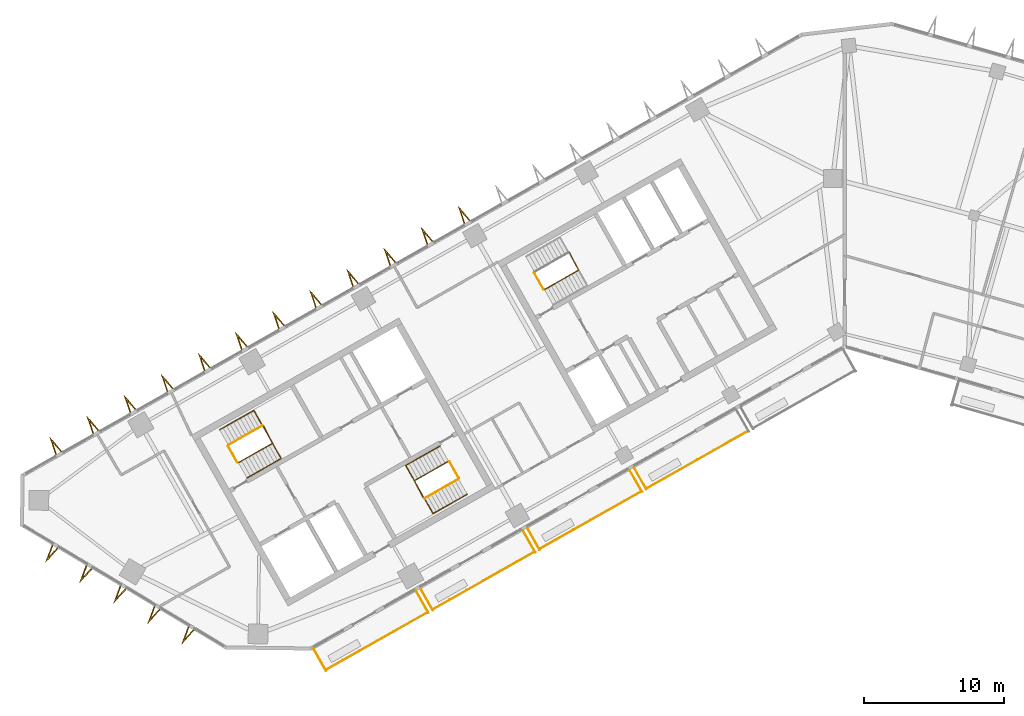
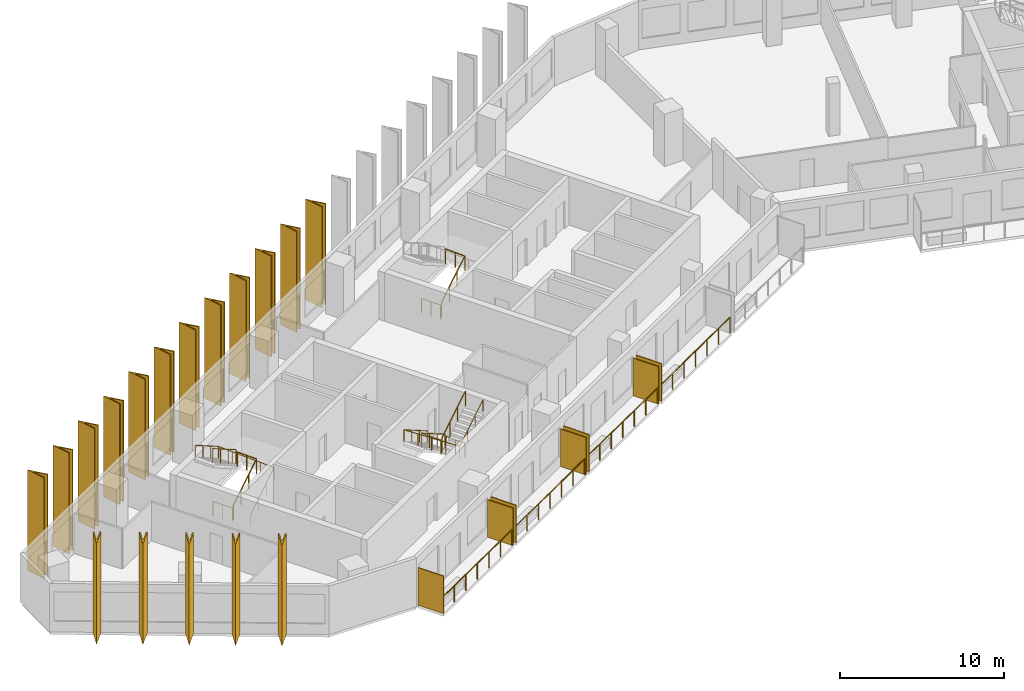
# One storey, part 10 of 12: 24 shading devices, 14 railings.
"""IFC4 building model written with IfcOpenShell, lengths in metres."""

from ifc_helpers import new_model, si_unit, direction, frame, origin, origin_2d, place, context, subcontext, project, spatial, polyline, rectangle, circle, outline, extrude, material, layer, layer_set, type_object, element, save


model = new_model("IFC4")

# Units and contexts
model_context = context("Model", 3, precision=1e-05, world=origin(), true_north=direction((0.0, 1.0)))
body_context = subcontext(model_context, "Body", "Model", "MODEL_VIEW")
ifc_project = project(units=[si_unit("LENGTHUNIT", "METRE"), si_unit("AREAUNIT", "SQUARE_METRE"), si_unit("VOLUMEUNIT", "CUBIC_METRE"), si_unit("PLANEANGLEUNIT", "RADIAN"), si_unit("MASSUNIT", "GRAM", prefix="KILO")], contexts=[model_context])

# Site, building, storey
site_placement = place(None, origin())
site = spatial("IfcSite", under=ifc_project, at=site_placement, CompositionType="ELEMENT")
building_placement = place(site_placement, origin())
building = spatial("IfcBuilding", under=site, at=building_placement, Name="Binnacle Exchange Tower", CompositionType="ELEMENT")
storey_placement = place(building_placement, frame((0.0, 0.0, 246.5)))
storey = spatial("IfcBuildingStorey", under=building, at=storey_placement, Name="L54", CompositionType="ELEMENT", Elevation=246.5)

# Railings
ifc_material_1 = material(Name="Bronze anodised aluminium frame", Category="aluminium")
railing_type_1 = type_object("IfcRailingType", Name="GUARD 1200", PredefinedType="GUARDRAIL", material=ifc_material_1)
railing_1_placement = place(storey_placement, frame((-37.006591796875, 24.94287109375, 0.0)))
element("IfcRailing", 1, at=railing_1_placement, inside=storey, type_object=railing_type_1, Name="Balcony guard G01-B00 L54", PredefinedType="GUARDRAIL", context=body_context, shape_type="SweptSolid", body=[
    extrude(circle(Radius=0.02392578125, at=origin_2d()), frame((0.0, 0.0, 1.17578125), z_axis=(0.870353267448, 0.492427852424, 0.0), x_axis=(-0.492427852424, 0.870353267448, 0.0)), (0.0, 0.0, 1.0), 8.334716796875),
    extrude(circle(Radius=0.02099609375, at=origin_2d()), origin(), (0.0, 0.0, 1.0), 1.15185546875),
    extrude(circle(Radius=0.02099609375, at=origin_2d()), frame((1.208984375, 0.68408203125, 0.0)), (0.0, 0.0, 1.0), 1.15185546875),
    extrude(circle(Radius=0.02099609375, at=origin_2d()), frame((2.41796875, 1.3681640625, 0.0)), (0.0, 0.0, 1.0), 1.15185546875),
    extrude(circle(Radius=0.02099609375, at=origin_2d()), frame((3.626953125, 2.05224609375, 0.0)), (0.0, 0.0, 1.0), 1.15185546875),
    extrude(circle(Radius=0.02099609375, at=origin_2d()), frame((4.836181640625, 2.736083984375, 0.0)), (0.0, 0.0, 1.0), 1.15185546875),
    extrude(circle(Radius=0.02099609375, at=origin_2d()), frame((6.045166015625, 3.420166015625, 0.0)), (0.0, 0.0, 1.0), 1.15185546875),
    extrude(circle(Radius=0.02099609375, at=origin_2d()), frame((7.254150390625, 4.104248046875, 0.0)), (0.0, 0.0, 1.0), 1.15185546875),
])
railing_2_placement = place(storey_placement, frame((-29.386962890625, 29.25390625, 0.0)))
element("IfcRailing", 2, at=railing_2_placement, inside=storey, type_object=railing_type_1, Name="Balcony guard G01-B01 L54", PredefinedType="GUARDRAIL", context=body_context, shape_type="SweptSolid", body=[
    extrude(circle(Radius=0.02392578125, at=origin_2d()), frame((0.0, 0.0, 1.17578125), z_axis=(0.870365821494, 0.492405662818, 0.0), x_axis=(-0.492405662818, 0.870365821494, 0.0)), (0.0, 0.0, 1.0), 8.334716796875),
    extrude(circle(Radius=0.02099609375, at=origin_2d()), origin(), (0.0, 0.0, 1.0), 1.15185546875),
    extrude(circle(Radius=0.02099609375, at=origin_2d()), frame((1.208984375, 0.68408203125, 0.0)), (0.0, 0.0, 1.0), 1.15185546875),
    extrude(circle(Radius=0.02099609375, at=origin_2d()), frame((2.41796875, 1.367919921875, 0.0)), (0.0, 0.0, 1.0), 1.15185546875),
    extrude(circle(Radius=0.02099609375, at=origin_2d()), frame((3.626953125, 2.052001953125, 0.0)), (0.0, 0.0, 1.0), 1.15185546875),
    extrude(circle(Radius=0.02099609375, at=origin_2d()), frame((4.836181640625, 2.736083984375, 0.0)), (0.0, 0.0, 1.0), 1.15185546875),
    extrude(circle(Radius=0.02099609375, at=origin_2d()), frame((6.045166015625, 3.419921875, 0.0)), (0.0, 0.0, 1.0), 1.15185546875),
    extrude(circle(Radius=0.02099609375, at=origin_2d()), frame((7.254150390625, 4.10400390625, 0.0)), (0.0, 0.0, 1.0), 1.15185546875),
])
for number, where, name in (
    (3, (-21.767333984375, 33.564697265625, 0.0), "Balcony guard G01-B02 L54"),
    (4, (-14.147705078125, 37.875732421875, 0.0), "Balcony guard G01-B03 L54"),
):
    element("IfcRailing", number, at=place(storey_placement, frame(where)), inside=storey, type_object=railing_type_1, Name=name, PredefinedType="GUARDRAIL", context=body_context, shape_type="SweptSolid", body=[
        extrude(circle(Radius=0.02392578125, at=origin_2d()), frame((0.0, 0.0, 1.17578125), z_axis=(0.8703461643, 0.49244040684, 0.0), x_axis=(-0.49244040684, 0.8703461643, 0.0)), (0.0, 0.0, 1.0), 8.33447265625),
        extrude(circle(Radius=0.02099609375, at=origin_2d()), origin(), (0.0, 0.0, 1.0), 1.15185546875),
        extrude(circle(Radius=0.02099609375, at=origin_2d()), frame((1.208984375, 0.68408203125, 0.0)), (0.0, 0.0, 1.0), 1.15185546875),
        extrude(circle(Radius=0.02099609375, at=origin_2d()), frame((2.41796875, 1.3681640625, 0.0)), (0.0, 0.0, 1.0), 1.15185546875),
        extrude(circle(Radius=0.02099609375, at=origin_2d()), frame((3.626953125, 2.05224609375, 0.0)), (0.0, 0.0, 1.0), 1.15185546875),
        extrude(circle(Radius=0.02099609375, at=origin_2d()), frame((4.8359375, 2.736083984375, 0.0)), (0.0, 0.0, 1.0), 1.15185546875),
        extrude(circle(Radius=0.02099609375, at=origin_2d()), frame((6.044921875, 3.420166015625, 0.0)), (0.0, 0.0, 1.0), 1.15185546875),
        extrude(circle(Radius=0.02099609375, at=origin_2d()), frame((7.25390625, 4.104248046875, 0.0)), (0.0, 0.0, 1.0), 1.15185546875),
    ])

# Shading devices
ifc_material_2 = material(Name="Bronze aluminium louvre", Category="aluminium")
ifc_layer = layer(ifc_material_2, 0.06005859375)
ifc_layer_set = layer_set([ifc_layer], Name="PLANTED SCREEN 60x2800")
shading_device_type_1 = type_object("IfcShadingDeviceType", Name="PLANTED SCREEN 60x2800", PredefinedType="USERDEFINED", material=ifc_layer_set)
for number, where, z_axis, x_axis, name in (
    (5, (-37.436279296875, 25.641845703125, 0.0), (0.0, 0.0, 1.0), (0.87035569594, 0.492423560103, 0.0), "Planted screen G01-B00a L54"),
    (6, (-30.130126953125, 29.775390625, 0.0), (0.0, 0.0, 1.0), (0.87035569594, 0.492423560103, 0.0), "Planted screen G01-B00b L54"),
    (7, (-29.81689453125, 29.95263671875, 0.0), (0.0, 0.0, 1.0), (0.87035569594, 0.492423560103, 0.0), "Planted screen G01-B01a L54"),
    (8, (-22.510498046875, 34.08642578125, 0.0), (0.0, 0.0, 1.0), (0.87035569594, 0.492423560103, 0.0), "Planted screen G01-B01b L54"),
    (9, (-22.197265625, 34.263671875, 0.0), (0.0, 0.0, 1.0), (0.87035569594, 0.492423560103, 0.0), "Planted screen G01-B02a L54"),
    (10, (-14.89111328125, 38.3974609375, 0.0), (0.0, 0.0, 1.0), (0.87035569594, 0.492423560103, 0.0), "Planted screen G01-B02b L54"),
    (11, (-14.57763671875, 38.57470703125, 0.0), (0.0, 0.0, 1.0), (0.87035569594, 0.492423560103, 0.0), "Planted screen G01-B03a L54"),
):
    element("IfcShadingDevice", number, at=place(storey_placement, frame(where, z_axis=z_axis, x_axis=x_axis)), inside=storey, type_object=shading_device_type_1, Name=name, ObjectType="SCREEN", PredefinedType="USERDEFINED", context=body_context, shape_type="SweptSolid", body=[
        extrude(rectangle(XDim=0.06005859375, YDim=1.800048828125, at=origin_2d()), origin(), (0.0, 0.0, 1.0), 2.800048828125),
    ])

# Railings
ifc_material_3 = material(Name="Steel guard rail", Category="steel")
railing_type_2 = type_object("IfcRailingType", Name="STAIR GUARD 1100", PredefinedType="GUARDRAIL", material=ifc_material_3)
railing_3_placement = place(storey_placement, frame((-43.26171875, 39.71728515625, 0.17724609375)))
element("IfcRailing", 12, at=railing_3_placement, inside=storey, type_object=railing_type_2, Name="L54 STA1 stair guard 1", PredefinedType="GUARDRAIL", context=body_context, shape_type="SweptSolid", body=[
    extrude(circle(Radius=0.02392578125, at=origin_2d()), frame((0.0, 0.0, 1.076171875), z_axis=(0.735358749054, 0.416079564682, 0.534906819964), x_axis=(-0.492453686477, 0.870338650569, 0.0)), (0.0, 0.0, 1.0), 3.31396484375),
    extrude(circle(Radius=0.02392578125, at=origin_2d()), frame((2.43701171875, 1.37890625, 2.8486328125), z_axis=(-0.461100321709, 0.887348011391, 0.0), x_axis=(-0.887348011391, -0.461100321709, 0.0)), (0.0, 0.0, 1.0), 1.40087890625),
    extrude(circle(Radius=0.02099609375, at=origin_2d()), origin(), (0.0, 0.0, 1.0), 1.052001953125),
    extrude(circle(Radius=0.02099609375, at=origin_2d()), frame((0.812255859375, 0.459716796875, 0.5908203125)), (0.0, 0.0, 1.0), 1.052001953125),
    extrude(circle(Radius=0.02099609375, at=origin_2d()), frame((1.624755859375, 0.919189453125, 1.181884765625)), (0.0, 0.0, 1.0), 1.052001953125),
    extrude(circle(Radius=0.02099609375, at=origin_2d()), frame((2.43701171875, 1.37890625, 1.772705078125)), (0.0, 0.0, 1.0), 1.052001953125),
    extrude(circle(Radius=0.02099609375, at=origin_2d()), frame((2.114013671875, 2.00048828125, 1.772705078125)), (0.0, 0.0, 1.0), 1.052001953125),
    extrude(circle(Radius=0.02099609375, at=origin_2d()), frame((1.791015625, 2.6220703125, 1.772705078125)), (0.0, 0.0, 1.0), 1.052001953125),
])
railing_4_placement = place(storey_placement, frame((-41.538818359375, 42.358154296875, 2.127197265625)))
element("IfcRailing", 13, at=railing_4_placement, inside=storey, type_object=railing_type_2, Name="L54 STA1 stair guard 2", PredefinedType="GUARDRAIL", context=body_context, shape_type="SweptSolid", body=[
    extrude(circle(Radius=0.02392578125, at=origin_2d()), frame((0.0, 0.0, 1.076171875), z_axis=(-0.735358749054, -0.416079564682, 0.534906819964), x_axis=(0.492453686477, -0.870338650569, 0.0)), (0.0, 0.0, 1.0), 3.31396484375),
    extrude(circle(Radius=0.02099609375, at=origin_2d()), origin(), (0.0, 0.0, 1.0), 1.052001953125),
    extrude(circle(Radius=0.02099609375, at=origin_2d()), frame((-0.812255859375, -0.459716796875, 0.5908203125)), (0.0, 0.0, 1.0), 1.052001953125),
    extrude(circle(Radius=0.02099609375, at=origin_2d()), frame((-1.624755859375, -0.919189453125, 1.181884765625)), (0.0, 0.0, 1.0), 1.052001953125),
    extrude(circle(Radius=0.02099609375, at=origin_2d()), frame((-2.43701171875, -1.37890625, 1.772705078125)), (0.0, 0.0, 1.0), 1.052001953125),
])
railing_5_placement = place(storey_placement, frame((-43.329833984375, 39.736328125, 0.0)))
element("IfcRailing", 14, at=railing_5_placement, inside=storey, type_object=railing_type_2, Name="L54 STA1 stair guard 3", PredefinedType="GUARDRAIL", context=body_context, shape_type="SweptSolid", body=[
    extrude(circle(Radius=0.02392578125, at=origin_2d()), frame((0.0, 0.0, 1.076171875), z_axis=(-0.4924922531, 0.870316827734, 0.0), x_axis=(-0.870316827734, -0.4924922531, 0.0)), (0.0, 0.0, 1.0), 1.349853515625),
    extrude(circle(Radius=0.02099609375, at=origin_2d()), origin(), (0.0, 0.0, 1.0), 1.052001953125),
    extrude(circle(Radius=0.02099609375, at=origin_2d()), frame((-0.33251953125, 0.58740234375, 0.0)), (0.0, 0.0, 1.0), 1.052001953125),
    extrude(circle(Radius=0.02099609375, at=origin_2d()), frame((-0.664794921875, 1.1748046875, 0.0)), (0.0, 0.0, 1.0), 1.052001953125),
])
railing_6_placement = place(storey_placement, frame((-28.265380859375, 39.814453125, 0.17724609375)))
element("IfcRailing", 15, at=railing_6_placement, inside=storey, type_object=railing_type_2, Name="L54 STA2 stair guard 1", PredefinedType="GUARDRAIL", context=body_context, shape_type="SweptSolid", body=[
    extrude(circle(Radius=0.02392578125, at=origin_2d()), frame((0.0, 0.0, 1.076171875), z_axis=(-0.735381288273, -0.416018647052, 0.534923215202), x_axis=(0.492387636113, -0.870376019777, 0.0)), (0.0, 0.0, 1.0), 3.31396484375),
    extrude(circle(Radius=0.02392578125, at=origin_2d()), frame((-2.43701171875, -1.378662109375, 2.8486328125), z_axis=(0.460963092712, -0.887419307406, 0.0), x_axis=(0.887419307406, 0.460963092712, 0.0)), (0.0, 0.0, 1.0), 1.40087890625),
    extrude(circle(Radius=0.02099609375, at=origin_2d()), origin(), (0.0, 0.0, 1.0), 1.052001953125),
    extrude(circle(Radius=0.02099609375, at=origin_2d()), frame((-0.812255859375, -0.45947265625, 0.5908203125)), (0.0, 0.0, 1.0), 1.052001953125),
    extrude(circle(Radius=0.02099609375, at=origin_2d()), frame((-1.624755859375, -0.919189453125, 1.181884765625)), (0.0, 0.0, 1.0), 1.052001953125),
    extrude(circle(Radius=0.02099609375, at=origin_2d()), frame((-2.43701171875, -1.378662109375, 1.772705078125)), (0.0, 0.0, 1.0), 1.052001953125),
    extrude(circle(Radius=0.02099609375, at=origin_2d()), frame((-2.1142578125, -2.000244140625, 1.772705078125)), (0.0, 0.0, 1.0), 1.052001953125),
    extrude(circle(Radius=0.02099609375, at=origin_2d()), frame((-1.791259765625, -2.621826171875, 1.772705078125)), (0.0, 0.0, 1.0), 1.052001953125),
])
railing_7_placement = place(storey_placement, frame((-29.988525390625, 37.173583984375, 2.127197265625)))
element("IfcRailing", 16, at=railing_7_placement, inside=storey, type_object=railing_type_2, Name="L54 STA2 stair guard 2", PredefinedType="GUARDRAIL", context=body_context, shape_type="SweptSolid", body=[
    extrude(circle(Radius=0.02392578125, at=origin_2d()), frame((0.0, 0.0, 1.076171875), z_axis=(0.735358749054, 0.416079564682, 0.534906819964), x_axis=(-0.492453686477, 0.870338650569, 0.0)), (0.0, 0.0, 1.0), 3.31396484375),
    extrude(circle(Radius=0.02099609375, at=origin_2d()), origin(), (0.0, 0.0, 1.0), 1.052001953125),
    extrude(circle(Radius=0.02099609375, at=origin_2d()), frame((0.812255859375, 0.459716796875, 0.5908203125)), (0.0, 0.0, 1.0), 1.052001953125),
    extrude(circle(Radius=0.02099609375, at=origin_2d()), frame((1.624755859375, 0.919189453125, 1.181884765625)), (0.0, 0.0, 1.0), 1.052001953125),
    extrude(circle(Radius=0.02099609375, at=origin_2d()), frame((2.43701171875, 1.37890625, 1.772705078125)), (0.0, 0.0, 1.0), 1.052001953125),
])
railing_8_placement = place(storey_placement, frame((-28.197265625, 39.795654296875, 0.0)))
element("IfcRailing", 17, at=railing_8_placement, inside=storey, type_object=railing_type_2, Name="L54 STA2 stair guard 3", PredefinedType="GUARDRAIL", context=body_context, shape_type="SweptSolid", body=[
    extrude(circle(Radius=0.02392578125, at=origin_2d()), frame((0.0, 0.0, 1.076171875), z_axis=(0.49241474071, -0.870360685654, 0.0), x_axis=(0.870360685654, 0.49241474071, 0.0)), (0.0, 0.0, 1.0), 1.35009765625),
    extrude(circle(Radius=0.02099609375, at=origin_2d()), origin(), (0.0, 0.0, 1.0), 1.052001953125),
    extrude(circle(Radius=0.02099609375, at=origin_2d()), frame((0.33251953125, -0.58740234375, 0.0)), (0.0, 0.0, 1.0), 1.052001953125),
    extrude(circle(Radius=0.02099609375, at=origin_2d()), frame((0.664794921875, -1.175048828125, 0.0)), (0.0, 0.0, 1.0), 1.052001953125),
])
railing_9_placement = place(storey_placement, frame((-21.423828125, 52.07275390625, 0.17724609375)))
element("IfcRailing", 18, at=railing_9_placement, inside=storey, type_object=railing_type_2, Name="L54 STC1 stair guard 1", PredefinedType="GUARDRAIL", context=body_context, shape_type="SweptSolid", body=[
    extrude(circle(Radius=0.02392578125, at=origin_2d()), frame((0.0, 0.0, 1.076171875), z_axis=(0.735381288273, 0.416018647052, 0.534923215202), x_axis=(-0.492387636113, 0.870376019777, 0.0)), (0.0, 0.0, 1.0), 3.31396484375),
    extrude(circle(Radius=0.02392578125, at=origin_2d()), frame((2.43701171875, 1.378662109375, 2.8486328125), z_axis=(-0.460963092712, 0.887419307406, 0.0), x_axis=(-0.887419307406, -0.460963092712, 0.0)), (0.0, 0.0, 1.0), 1.40087890625),
    extrude(circle(Radius=0.02099609375, at=origin_2d()), origin(), (0.0, 0.0, 1.0), 1.052001953125),
    extrude(circle(Radius=0.02099609375, at=origin_2d()), frame((0.812255859375, 0.45947265625, 0.5908203125)), (0.0, 0.0, 1.0), 1.052001953125),
    extrude(circle(Radius=0.02099609375, at=origin_2d()), frame((1.624755859375, 0.919189453125, 1.181884765625)), (0.0, 0.0, 1.0), 1.052001953125),
    extrude(circle(Radius=0.02099609375, at=origin_2d()), frame((2.43701171875, 1.378662109375, 1.772705078125)), (0.0, 0.0, 1.0), 1.052001953125),
    extrude(circle(Radius=0.02099609375, at=origin_2d()), frame((2.1142578125, 2.000244140625, 1.772705078125)), (0.0, 0.0, 1.0), 1.052001953125),
    extrude(circle(Radius=0.02099609375, at=origin_2d()), frame((1.791259765625, 2.621826171875, 1.772705078125)), (0.0, 0.0, 1.0), 1.052001953125),
])
railing_10_placement = place(storey_placement, frame((-21.491943359375, 52.091552734375, 0.0)))
element("IfcRailing", 19, at=railing_10_placement, inside=storey, type_object=railing_type_2, Name="L54 STC1 stair guard 3", PredefinedType="GUARDRAIL", context=body_context, shape_type="SweptSolid", body=[
    extrude(circle(Radius=0.02392578125, at=origin_2d()), frame((0.0, 0.0, 1.076171875), z_axis=(-0.49241474071, 0.870360685654, 0.0), x_axis=(-0.870360685654, -0.49241474071, 0.0)), (0.0, 0.0, 1.0), 1.35009765625),
    extrude(circle(Radius=0.02099609375, at=origin_2d()), origin(), (0.0, 0.0, 1.0), 1.052001953125),
    extrude(circle(Radius=0.02099609375, at=origin_2d()), frame((-0.33251953125, 0.58740234375, 0.0)), (0.0, 0.0, 1.0), 1.052001953125),
    extrude(circle(Radius=0.02099609375, at=origin_2d()), frame((-0.664794921875, 1.175048828125, 0.0)), (0.0, 0.0, 1.0), 1.052001953125),
])
ifc_material_4 = material(Name="Steel handrail", Category="steel")
railing_type_3 = type_object("IfcRailingType", Name="STAIR HANDRAIL 900", PredefinedType="HANDRAIL", material=ifc_material_4)
railing_11_placement = place(storey_placement, frame((-42.646240234375, 38.62939453125, 0.17724609375)))
element("IfcRailing", 20, at=railing_11_placement, inside=storey, type_object=railing_type_3, Name="L54 STA1 stair handrail 1", PredefinedType="HANDRAIL", context=body_context, shape_type="SweptSolid", body=[
    extrude(circle(Radius=0.02392578125, at=origin_2d()), frame((0.0, 0.0, 0.8759765625), z_axis=(0.735381288273, 0.416018647052, 0.534923215202), x_axis=(-0.492387636113, 0.870376019777, 0.0)), (0.0, 0.0, 1.0), 3.31396484375),
    extrude(circle(Radius=0.02392578125, at=origin_2d()), frame((2.43701171875, 1.378662109375, 2.6484375), z_axis=(-0.491918640963, 0.869486419234, 0.044826526087), x_axis=(-0.870361318571, -0.492413622004, 0.0)), (0.0, 0.0, 1.0), 3.9541015625),
    extrude(circle(Radius=0.02392578125, at=origin_2d()), frame((0.491943359375, 4.816650390625, 2.82568359375), z_axis=(-0.735381288273, -0.416018647052, 0.534923215202), x_axis=(0.492387636113, -0.870376019777, 0.0)), (0.0, 0.0, 1.0), 3.31396484375),
    extrude(circle(Radius=0.02099609375, at=origin_2d()), origin(), (0.0, 0.0, 1.0), 0.851806640625),
    extrude(circle(Radius=0.02099609375, at=origin_2d()), frame((0.812255859375, 0.45947265625, 0.5908203125)), (0.0, 0.0, 1.0), 0.851806640625),
    extrude(circle(Radius=0.02099609375, at=origin_2d()), frame((1.624755859375, 0.919189453125, 1.181884765625)), (0.0, 0.0, 1.0), 0.851806640625),
    extrude(circle(Radius=0.02099609375, at=origin_2d()), frame((2.43701171875, 1.378662109375, 1.772705078125)), (0.0, 0.0, 1.0), 0.851806640625),
    extrude(circle(Radius=0.02099609375, at=origin_2d()), frame((1.95068359375, 2.23828125, 1.81689453125)), (0.0, 0.0, 1.0), 0.851806640625),
    extrude(circle(Radius=0.02099609375, at=origin_2d()), frame((1.46435546875, 3.09765625, 1.861328125)), (0.0, 0.0, 1.0), 0.851806640625),
    extrude(circle(Radius=0.02099609375, at=origin_2d()), frame((0.978271484375, 3.95703125, 1.90576171875)), (0.0, 0.0, 1.0), 0.851806640625),
    extrude(circle(Radius=0.02099609375, at=origin_2d()), frame((0.491943359375, 4.816650390625, 1.949951171875)), (0.0, 0.0, 1.0), 0.851806640625),
    extrude(circle(Radius=0.02099609375, at=origin_2d()), frame((-0.3203125, 4.357177734375, 2.540771484375)), (0.0, 0.0, 1.0), 0.851806640625),
    extrude(circle(Radius=0.02099609375, at=origin_2d()), frame((-1.1328125, 3.8974609375, 3.1318359375)), (0.0, 0.0, 1.0), 0.851806640625),
    extrude(circle(Radius=0.02099609375, at=origin_2d()), frame((-1.945068359375, 3.43798828125, 3.72265625)), (0.0, 0.0, 1.0), 0.851806640625),
])
railing_12_placement = place(storey_placement, frame((-28.880859375, 40.90234375, 0.17724609375)))
element("IfcRailing", 21, at=railing_12_placement, inside=storey, type_object=railing_type_3, Name="L54 STA2 stair handrail 1", PredefinedType="HANDRAIL", context=body_context, shape_type="SweptSolid", body=[
    extrude(circle(Radius=0.02392578125, at=origin_2d()), frame((0.0, 0.0, 0.8759765625), z_axis=(-0.735381288273, -0.416018647052, 0.534923215202), x_axis=(0.492387636113, -0.870376019777, 0.0)), (0.0, 0.0, 1.0), 3.31396484375),
    extrude(circle(Radius=0.02392578125, at=origin_2d()), frame((-2.43701171875, -1.378662109375, 2.6484375), z_axis=(0.491918640963, -0.869486419234, 0.044826526087), x_axis=(0.870361318571, 0.492413622004, 0.0)), (0.0, 0.0, 1.0), 3.9541015625),
    extrude(circle(Radius=0.02392578125, at=origin_2d()), frame((-0.491943359375, -4.816650390625, 2.82568359375), z_axis=(0.735358749054, 0.416079564682, 0.534906819964), x_axis=(-0.492453686477, 0.870338650569, 0.0)), (0.0, 0.0, 1.0), 3.31396484375),
    extrude(circle(Radius=0.02099609375, at=origin_2d()), origin(), (0.0, 0.0, 1.0), 0.851806640625),
    extrude(circle(Radius=0.02099609375, at=origin_2d()), frame((-0.812255859375, -0.45947265625, 0.5908203125)), (0.0, 0.0, 1.0), 0.851806640625),
    extrude(circle(Radius=0.02099609375, at=origin_2d()), frame((-1.624755859375, -0.919189453125, 1.181884765625)), (0.0, 0.0, 1.0), 0.851806640625),
    extrude(circle(Radius=0.02099609375, at=origin_2d()), frame((-2.43701171875, -1.378662109375, 1.772705078125)), (0.0, 0.0, 1.0), 0.851806640625),
    extrude(circle(Radius=0.02099609375, at=origin_2d()), frame((-1.95068359375, -2.23828125, 1.81689453125)), (0.0, 0.0, 1.0), 0.851806640625),
    extrude(circle(Radius=0.02099609375, at=origin_2d()), frame((-1.46435546875, -3.09765625, 1.861328125)), (0.0, 0.0, 1.0), 0.851806640625),
    extrude(circle(Radius=0.02099609375, at=origin_2d()), frame((-0.978271484375, -3.95703125, 1.90576171875)), (0.0, 0.0, 1.0), 0.851806640625),
    extrude(circle(Radius=0.02099609375, at=origin_2d()), frame((-0.491943359375, -4.816650390625, 1.949951171875)), (0.0, 0.0, 1.0), 0.851806640625),
    extrude(circle(Radius=0.02099609375, at=origin_2d()), frame((0.3203125, -4.35693359375, 2.540771484375)), (0.0, 0.0, 1.0), 0.851806640625),
    extrude(circle(Radius=0.02099609375, at=origin_2d()), frame((1.1328125, -3.8974609375, 3.1318359375)), (0.0, 0.0, 1.0), 0.851806640625),
    extrude(circle(Radius=0.02099609375, at=origin_2d()), frame((1.945068359375, -3.437744140625, 3.72265625)), (0.0, 0.0, 1.0), 0.851806640625),
])

# Shading devices
ifc_material_5 = material(Name="Bronze aluminium cladding", Category="aluminium")
shading_device_type_2 = type_object("IfcShadingDeviceType", Name="V FIN 1300 DEEP x 7520 HIGH", PredefinedType="USERDEFINED", material=ifc_material_5)
shading_device_1_placement = place(storey_placement, origin())
element("IfcShadingDevice", 22, at=shading_device_1_placement, inside=storey, type_object=shading_device_type_2, Name="V fin FN-G08-09 L54", ObjectType="FIN", PredefinedType="USERDEFINED", context=body_context, shape_type="SweptSolid", body=[
    extrude(outline(polyline([(-26.72900390625, 57.02099609375), (-27.586669921875, 58.029541015625), (-27.1640625, 56.77490234375), (-27.09326171875, 56.81494140625), (-27.3779296875, 57.660888671875), (-26.7998046875, 56.98095703125), (-26.72900390625, 57.02099609375)])), origin(), (0.0, 0.0, 1.0), 7.52001953125),
])
shading_device_2_placement = place(storey_placement, origin())
element("IfcShadingDevice", 23, at=shading_device_2_placement, inside=storey, type_object=shading_device_type_2, Name="V fin FN-G08-10 L54", ObjectType="FIN", PredefinedType="USERDEFINED", context=body_context, shape_type="SweptSolid", body=[
    extrude(outline(polyline([(-29.377685546875, 55.5224609375), (-30.2353515625, 56.531005859375), (-29.812744140625, 55.2763671875), (-29.741943359375, 55.31640625), (-30.026611328125, 56.162109375), (-29.448486328125, 55.482421875), (-29.377685546875, 55.5224609375)])), origin(), (0.0, 0.0, 1.0), 7.52001953125),
])
shading_device_3_placement = place(storey_placement, origin())
element("IfcShadingDevice", 24, at=shading_device_3_placement, inside=storey, type_object=shading_device_type_2, Name="V fin FN-G08-11 L54", ObjectType="FIN", PredefinedType="USERDEFINED", context=body_context, shape_type="SweptSolid", body=[
    extrude(outline(polyline([(-32.0263671875, 54.02392578125), (-32.884033203125, 55.032470703125), (-32.46142578125, 53.77783203125), (-32.390625, 53.81787109375), (-32.67529296875, 54.663818359375), (-32.09716796875, 53.98388671875), (-32.0263671875, 54.02392578125)])), origin(), (0.0, 0.0, 1.0), 7.52001953125),
])
shading_device_4_placement = place(storey_placement, origin())
element("IfcShadingDevice", 25, at=shading_device_4_placement, inside=storey, type_object=shading_device_type_2, Name="V fin FN-G08-12 L54", ObjectType="FIN", PredefinedType="USERDEFINED", context=body_context, shape_type="SweptSolid", body=[
    extrude(outline(polyline([(-34.675048828125, 52.525390625), (-35.53271484375, 53.53369140625), (-35.110107421875, 52.279296875), (-35.039306640625, 52.3193359375), (-35.32421875, 53.1650390625), (-34.745849609375, 52.4853515625), (-34.675048828125, 52.525390625)])), origin(), (0.0, 0.0, 1.0), 7.52001953125),
])
shading_device_5_placement = place(storey_placement, origin())
element("IfcShadingDevice", 26, at=shading_device_5_placement, inside=storey, type_object=shading_device_type_2, Name="V fin FN-G08-13 L54", ObjectType="FIN", PredefinedType="USERDEFINED", context=body_context, shape_type="SweptSolid", body=[
    extrude(outline(polyline([(-37.32373046875, 51.02685546875), (-38.181640625, 52.03515625), (-37.759033203125, 50.780517578125), (-37.68798828125, 50.82080078125), (-37.972900390625, 51.66650390625), (-37.394775390625, 50.98681640625), (-37.32373046875, 51.02685546875)])), origin(), (0.0, 0.0, 1.0), 7.52001953125),
])
shading_device_6_placement = place(storey_placement, origin())
element("IfcShadingDevice", 27, at=shading_device_6_placement, inside=storey, type_object=shading_device_type_2, Name="V fin FN-G08-14 L54", ObjectType="FIN", PredefinedType="USERDEFINED", context=body_context, shape_type="SweptSolid", body=[
    extrude(outline(polyline([(-39.972412109375, 49.5283203125), (-40.830322265625, 50.53662109375), (-40.40771484375, 49.281982421875), (-40.3369140625, 49.322021484375), (-40.62158203125, 50.16796875), (-40.04345703125, 49.488037109375), (-39.972412109375, 49.5283203125)])), origin(), (0.0, 0.0, 1.0), 7.52001953125),
])
shading_device_7_placement = place(storey_placement, origin())
element("IfcShadingDevice", 28, at=shading_device_7_placement, inside=storey, type_object=shading_device_type_2, Name="V fin FN-G08-15 L54", ObjectType="FIN", PredefinedType="USERDEFINED", context=body_context, shape_type="SweptSolid", body=[
    extrude(outline(polyline([(-42.621337890625, 48.029541015625), (-43.47900390625, 49.0380859375), (-43.056396484375, 47.783447265625), (-42.985595703125, 47.823486328125), (-43.2705078125, 48.669189453125), (-42.692138671875, 47.989501953125), (-42.621337890625, 48.029541015625)])), origin(), (0.0, 0.0, 1.0), 7.52001953125),
])
shading_device_8_placement = place(storey_placement, origin())
element("IfcShadingDevice", 29, at=shading_device_8_placement, inside=storey, type_object=shading_device_type_2, Name="V fin FN-G08-16 L54", ObjectType="FIN", PredefinedType="USERDEFINED", context=body_context, shape_type="SweptSolid", body=[
    extrude(outline(polyline([(-45.27001953125, 46.531005859375), (-46.127685546875, 47.539306640625), (-45.705078125, 46.284912109375), (-45.63427734375, 46.324951171875), (-45.919189453125, 47.170654296875), (-45.3408203125, 46.490966796875), (-45.27001953125, 46.531005859375)])), origin(), (0.0, 0.0, 1.0), 7.52001953125),
])
shading_device_9_placement = place(storey_placement, origin())
element("IfcShadingDevice", 30, at=shading_device_9_placement, inside=storey, type_object=shading_device_type_2, Name="V fin FN-G08-17 L54", ObjectType="FIN", PredefinedType="USERDEFINED", context=body_context, shape_type="SweptSolid", body=[
    extrude(outline(polyline([(-47.918701171875, 45.032470703125), (-48.776611328125, 46.040771484375), (-48.35400390625, 44.7861328125), (-48.283203125, 44.826416015625), (-48.56787109375, 45.672119140625), (-47.98974609375, 44.9921875), (-47.918701171875, 45.032470703125)])), origin(), (0.0, 0.0, 1.0), 7.52001953125),
])
shading_device_10_placement = place(storey_placement, origin())
element("IfcShadingDevice", 31, at=shading_device_10_placement, inside=storey, type_object=shading_device_type_2, Name="V fin FN-G08-18 L54", ObjectType="FIN", PredefinedType="USERDEFINED", context=body_context, shape_type="SweptSolid", body=[
    extrude(outline(polyline([(-50.5673828125, 43.533935546875), (-51.42529296875, 44.542236328125), (-51.002685546875, 43.28759765625), (-50.931884765625, 43.327880859375), (-51.216552734375, 44.173583984375), (-50.638427734375, 43.493896484375), (-50.5673828125, 43.533935546875)])), origin(), (0.0, 0.0, 1.0), 7.52001953125),
])
shading_device_11_placement = place(storey_placement, origin())
element("IfcShadingDevice", 32, at=shading_device_11_placement, inside=storey, type_object=shading_device_type_2, Name="V fin FN-G08-19 L54", ObjectType="FIN", PredefinedType="USERDEFINED", context=body_context, shape_type="SweptSolid", body=[
    extrude(outline(polyline([(-53.21630859375, 42.035400390625), (-54.073974609375, 43.043701171875), (-53.6513671875, 41.7890625), (-53.58056640625, 41.8291015625), (-53.865234375, 42.675048828125), (-53.287109375, 41.9951171875), (-53.21630859375, 42.035400390625)])), origin(), (0.0, 0.0, 1.0), 7.52001953125),
])
shading_device_12_placement = place(storey_placement, origin())
element("IfcShadingDevice", 33, at=shading_device_12_placement, inside=storey, type_object=shading_device_type_2, Name="V fin FN-G08-20 L54", ObjectType="FIN", PredefinedType="USERDEFINED", context=body_context, shape_type="SweptSolid", body=[
    extrude(outline(polyline([(-55.864990234375, 40.53662109375), (-56.722900390625, 41.545166015625), (-56.30029296875, 40.29052734375), (-56.229248046875, 40.33056640625), (-56.51416015625, 41.176513671875), (-55.935791015625, 40.49658203125), (-55.864990234375, 40.53662109375)])), origin(), (0.0, 0.0, 1.0), 7.52001953125),
])
shading_device_13_placement = place(storey_placement, origin())
element("IfcShadingDevice", 34, at=shading_device_13_placement, inside=storey, type_object=shading_device_type_2, Name="V fin FN-G10-01 L54", ObjectType="FIN", PredefinedType="USERDEFINED", context=body_context, shape_type="SweptSolid", body=[
    extrude(outline(polyline([(-56.566162109375, 33.842529296875), (-57.021240234375, 32.599365234375), (-56.137451171875, 33.5849609375), (-56.207275390625, 33.626953125), (-56.80322265625, 32.96240234375), (-56.496337890625, 33.800537109375), (-56.566162109375, 33.842529296875)])), origin(), (0.0, 0.0, 1.0), 7.52001953125),
])
shading_device_14_placement = place(storey_placement, origin())
element("IfcShadingDevice", 35, at=shading_device_14_placement, inside=storey, type_object=shading_device_type_2, Name="V fin FN-G10-02 L54", ObjectType="FIN", PredefinedType="USERDEFINED", context=body_context, shape_type="SweptSolid", body=[
    extrude(outline(polyline([(-54.137451171875, 32.38330078125), (-54.592529296875, 31.14013671875), (-53.708740234375, 32.12548828125), (-53.778564453125, 32.16748046875), (-54.37451171875, 31.503173828125), (-54.067626953125, 32.34130859375), (-54.137451171875, 32.38330078125)])), origin(), (0.0, 0.0, 1.0), 7.52001953125),
])
shading_device_15_placement = place(storey_placement, origin())
element("IfcShadingDevice", 36, at=shading_device_15_placement, inside=storey, type_object=shading_device_type_2, Name="V fin FN-G10-03 L54", ObjectType="FIN", PredefinedType="USERDEFINED", context=body_context, shape_type="SweptSolid", body=[
    extrude(outline(polyline([(-51.708740234375, 30.923828125), (-52.1640625, 29.680908203125), (-51.2802734375, 30.666259765625), (-51.35009765625, 30.708251953125), (-51.94580078125, 30.0439453125), (-51.638916015625, 30.8818359375), (-51.708740234375, 30.923828125)])), origin(), (0.0, 0.0, 1.0), 7.52001953125),
])
shading_device_16_placement = place(storey_placement, origin())
element("IfcShadingDevice", 37, at=shading_device_16_placement, inside=storey, type_object=shading_device_type_2, Name="V fin FN-G10-04 L54", ObjectType="FIN", PredefinedType="USERDEFINED", context=body_context, shape_type="SweptSolid", body=[
    extrude(outline(polyline([(-49.280029296875, 29.464599609375), (-49.7353515625, 28.2216796875), (-48.8515625, 29.20703125), (-48.92138671875, 29.2490234375), (-49.51708984375, 28.584716796875), (-49.210205078125, 29.422607421875), (-49.280029296875, 29.464599609375)])), origin(), (0.0, 0.0, 1.0), 7.52001953125),
])
shading_device_17_placement = place(storey_placement, origin())
element("IfcShadingDevice", 38, at=shading_device_17_placement, inside=storey, type_object=shading_device_type_2, Name="V fin FN-G10-05 L54", ObjectType="FIN", PredefinedType="USERDEFINED", context=body_context, shape_type="SweptSolid", body=[
    extrude(outline(polyline([(-46.8515625, 28.00537109375), (-47.306640625, 26.76220703125), (-46.4228515625, 27.747802734375), (-46.49267578125, 27.789794921875), (-47.088623046875, 27.12548828125), (-46.78173828125, 27.96337890625), (-46.8515625, 28.00537109375)])), origin(), (0.0, 0.0, 1.0), 7.52001953125),
])

save(model, "model.ifc")
